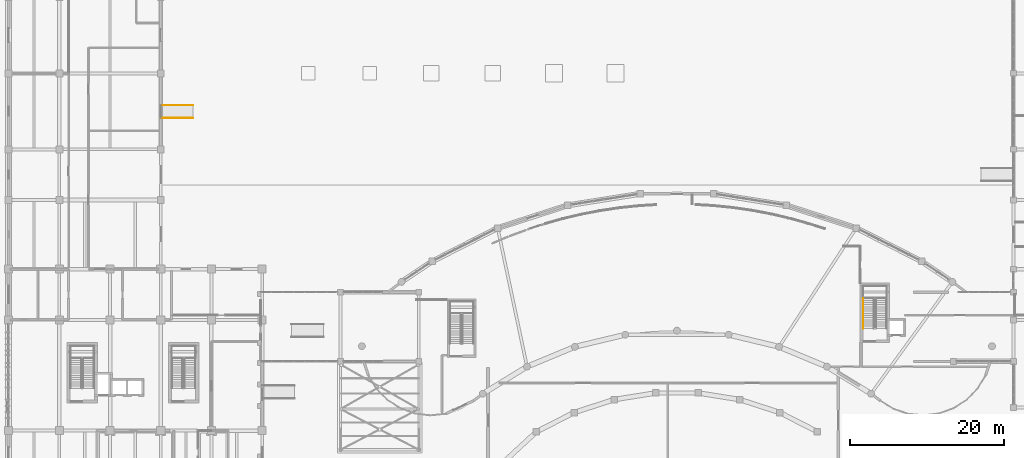
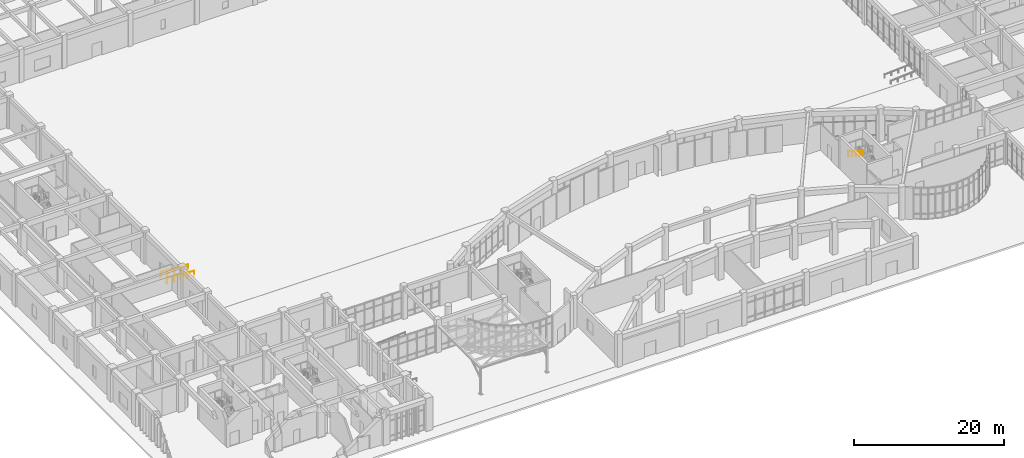
# One storey, part 63 of 70: 3 railings.
"""IFC4 building model written with IfcOpenShell, lengths in metres."""

from ifc_helpers import new_model, si_unit, direction, frame, origin, origin_2d, place, context, subcontext, project, spatial, circle, extrude, material, type_object, element, save


model = new_model("IFC4")

# Units and contexts
model_context = context("Model", 3, precision=1e-05, world=origin(), true_north=direction((0.0, 1.0)))
body_context = subcontext(model_context, "Body", "Model", "MODEL_VIEW")
ifc_project = project(units=[si_unit("LENGTHUNIT", "METRE"), si_unit("AREAUNIT", "SQUARE_METRE"), si_unit("VOLUMEUNIT", "CUBIC_METRE"), si_unit("PLANEANGLEUNIT", "RADIAN"), si_unit("MASSUNIT", "GRAM", prefix="KILO")], contexts=[model_context])

# Site, building, storey
site_placement = place(None, origin())
site = spatial("IfcSite", under=ifc_project, at=site_placement, CompositionType="ELEMENT")
building_placement = place(site_placement, origin())
building = spatial("IfcBuilding", under=site, at=building_placement, Name="Miralva Faculty of Natural Sciences", CompositionType="ELEMENT")
storey_placement = place(building_placement, origin())
storey = spatial("IfcBuildingStorey", under=building, at=storey_placement, Name="L00", CompositionType="ELEMENT", Elevation=0.0)

# Railings
ifc_material = material(Name="Steel S355", Category="steel")
railing_type = type_object("IfcRailingType", Name="RL-HR01", PredefinedType="HANDRAIL", material=ifc_material)
railing_placement = place(storey_placement, frame((114.25, 26.219970703125, 2.8798828125)))
element("IfcRailing", 1, at=railing_placement, inside=storey, type_object=railing_type, Name="Stair Core C3 handrail L00-2", PredefinedType="HANDRAIL", context=body_context, shape_type="SweptSolid", body=[
    extrude(circle(Radius=0.02392578125, at=origin_2d()), frame((0.0, 0.0, 0.8759765625), z_axis=(0.0, -0.841171666519, 0.540768182723), x_axis=(1.0, 0.0, 0.0)), (0.0, 0.0, 1.0), 4.66015625),
    extrude(circle(Radius=0.02099609375, at=origin_2d()), origin(), (0.0, 0.0, 1.0), 0.851806640625),
    extrude(circle(Radius=0.02099609375, at=origin_2d()), frame((0.0, -0.97998046875, 0.6298828125)), (0.0, 0.0, 1.0), 0.851806640625),
    extrude(circle(Radius=0.02099609375, at=origin_2d()), frame((0.0, -1.9599609375, 1.260009765625)), (0.0, 0.0, 1.0), 0.851806640625),
    extrude(circle(Radius=0.02099609375, at=origin_2d()), frame((0.0, -2.93994140625, 1.89013671875)), (0.0, 0.0, 1.0), 0.851806640625),
    extrude(circle(Radius=0.02099609375, at=origin_2d()), frame((0.0, -3.919921875, 2.52001953125)), (0.0, 0.0, 1.0), 0.851806640625),
])
for number, where, name in (
    (2, (27.0, 51.340087890625, -0.300048828125), "Accessible ramp handrail RMP-PED-03-L"),
    (3, (27.0, 49.659912109375, -0.300048828125), "Accessible ramp handrail RMP-PED-03-R"),
):
    element("IfcRailing", number, at=place(storey_placement, frame(where)), inside=storey, type_object=railing_type, Name=name, PredefinedType="HANDRAIL", context=body_context, shape_type="SweptSolid", body=[
        extrude(circle(Radius=0.02392578125, at=origin_2d()), frame((0.0, 0.0, 0.8759765625), z_axis=(-0.997457816785, 0.0, 0.071259411546), x_axis=(0.0, -1.0, 0.0)), (0.0, 0.0, 1.0), 4.210693359375),
        extrude(circle(Radius=0.02099609375, at=origin_2d()), origin(), (0.0, 0.0, 1.0), 0.851806640625),
        extrude(circle(Radius=0.02099609375, at=origin_2d()), frame((-1.050048828125, 0.0, 0.074951171875)), (0.0, 0.0, 1.0), 0.851806640625),
        extrude(circle(Radius=0.02099609375, at=origin_2d()), frame((-2.10009765625, 0.0, 0.14990234375)), (0.0, 0.0, 1.0), 0.851806640625),
        extrude(circle(Radius=0.02099609375, at=origin_2d()), frame((-3.14990234375, 0.0, 0.22509765625)), (0.0, 0.0, 1.0), 0.851806640625),
        extrude(circle(Radius=0.02099609375, at=origin_2d()), frame((-4.199951171875, 0.0, 0.300048828125)), (0.0, 0.0, 1.0), 0.851806640625),
    ])

save(model, "model.ifc")
